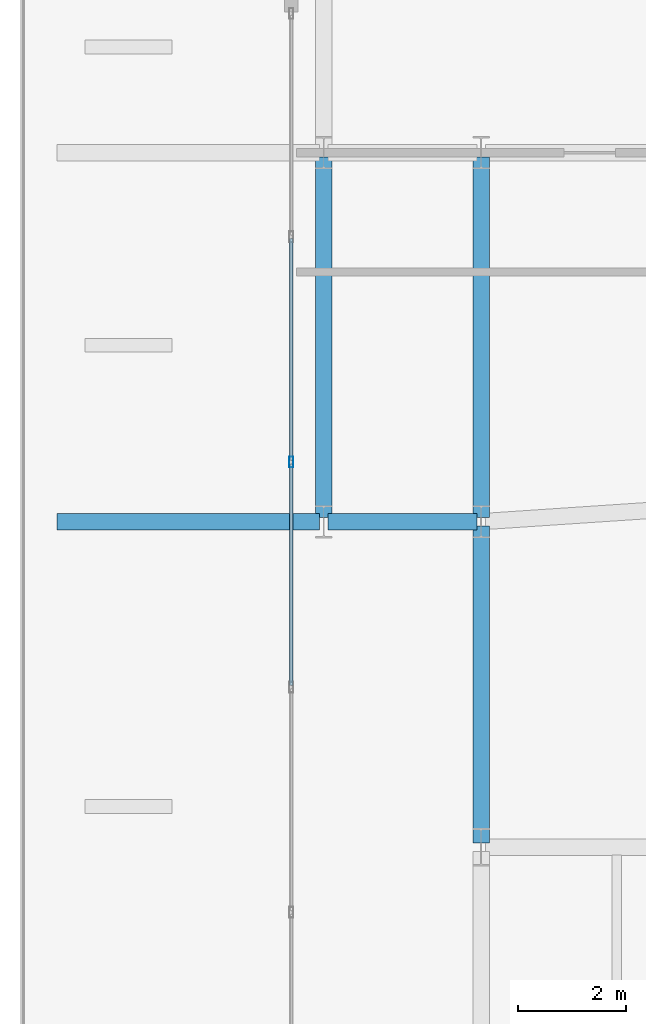
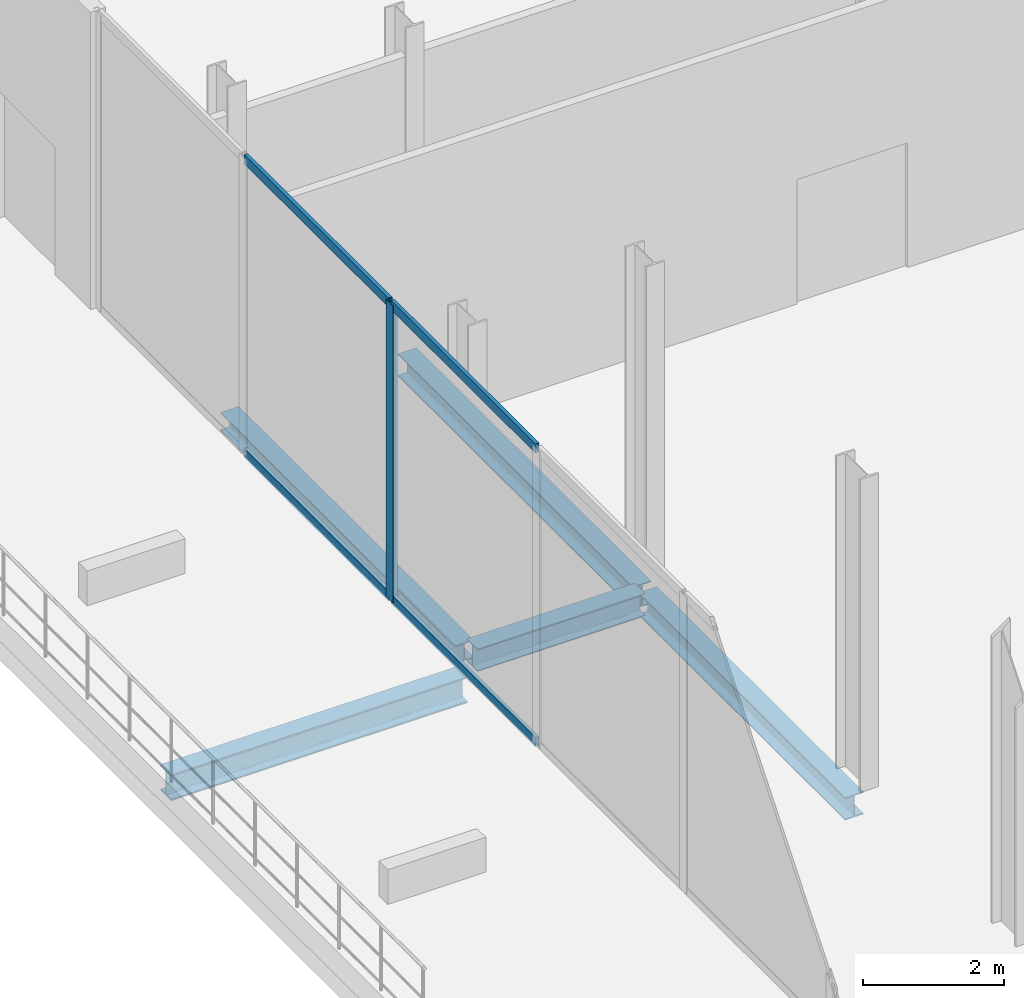
# One storey, part 5 of 18: 5 beams, 5 members, 1 element without a shape of its own.
"""IFC4 building model written with IfcOpenShell, lengths in metres."""

from ifc_helpers import new_model, si_unit, direction, frame, origin, origin_2d, place, context, subcontext, project, spatial, hollow_rectangle, i_section, extrude, material, layer, layer_set, material_profile, profile_set, type_object, element, aggregate, save


model = new_model("IFC4")

# Units and contexts
model_context = context("Model", 3, precision=1e-05, world=origin(), true_north=direction((0.0, 1.0)))
body_context = subcontext(model_context, "Body", "Model", "MODEL_VIEW")
ifc_project = project(units=[si_unit("LENGTHUNIT", "METRE"), si_unit("AREAUNIT", "SQUARE_METRE"), si_unit("VOLUMEUNIT", "CUBIC_METRE"), si_unit("PLANEANGLEUNIT", "RADIAN"), si_unit("MASSUNIT", "GRAM", prefix="KILO")], contexts=[model_context])

# Site, building, storey
site_placement = place(None, origin())
site = spatial("IfcSite", under=ifc_project, at=site_placement, CompositionType="ELEMENT")
building_placement = place(site_placement, origin())
building = spatial("IfcBuilding", under=site, at=building_placement, Name="Catumbela Crestline Tower", CompositionType="ELEMENT")
storey_placement = place(building_placement, frame((0.0, 0.0, 148.8)))
storey = spatial("IfcBuildingStorey", under=building, at=storey_placement, Name="L38", CompositionType="ELEMENT", Elevation=148.8)

# Beams
ifc_material_1 = material(Name="Structural steel S355J2", Category="steel")
ifc_material_profile_1 = material_profile(ifc_material_1, i_section(OverallWidth=0.3, OverallDepth=0.39, WebThickness=0.011, FlangeThickness=0.019, FilletRadius=0.027, at=origin_2d()), Name="HEA 400")
ifc_profile_set_1 = profile_set([ifc_material_profile_1], Name="Structural steel S355J2")
beam_type_1 = type_object("IfcBeamType", Name="BG-HEA400", PredefinedType="BEAM", material=ifc_profile_set_1)
beam_1_placement = place(storey_placement, frame((5.68, 24.0, -0.545), z_axis=(1.0, 0.0, 0.0), x_axis=(0.0, 1.0, 0.0)))
element("IfcBeam", 1, at=beam_1_placement, inside=storey, type_object=beam_type_1, Name="L38 Beam BM-L38-S01", PredefinedType="BEAM", context=body_context, shape_type="SweptSolid", body=[
    extrude(i_section(OverallWidth=0.3, OverallDepth=0.39, WebThickness=0.011, FlangeThickness=0.019, FilletRadius=0.027, at=origin_2d()), origin(), (0.0, 0.0, 1.0), 2.74),
])
beam_2_placement = place(storey_placement, frame((8.5, 24.08, -0.545), z_axis=(0.0, 1.0, 0.0), x_axis=(-1.0, 0.0, 0.0)))
element("IfcBeam", 2, at=beam_2_placement, inside=storey, type_object=beam_type_1, Name="L38 Beam BM-L38-SN16", PredefinedType="BEAM", context=body_context, shape_type="SweptSolid", body=[
    extrude(i_section(OverallWidth=0.3, OverallDepth=0.39, WebThickness=0.011, FlangeThickness=0.019, FilletRadius=0.027, at=origin_2d()), origin(), (0.0, 0.0, 1.0), 6.64),
])
beam_3_placement = place(storey_placement, frame((8.5, 18.08, -0.545), z_axis=(0.0, 1.0, 0.0), x_axis=(-1.0, 0.0, 0.0)))
element("IfcBeam", 3, at=beam_3_placement, inside=storey, type_object=beam_type_1, Name="L38 Beam BM-L38-WNS39", PredefinedType="BEAM", context=body_context, shape_type="SweptSolid", body=[
    extrude(i_section(OverallWidth=0.3, OverallDepth=0.39, WebThickness=0.011, FlangeThickness=0.019, FilletRadius=0.027, at=origin_2d()), origin(), (0.0, 0.0, 1.0), 5.84),
])
ifc_material_profile_2 = material_profile(ifc_material_1, i_section(OverallWidth=0.3, OverallDepth=0.45, WebThickness=0.014, FlangeThickness=0.026, FilletRadius=0.027, at=origin_2d()), Name="HEB 450")
ifc_profile_set_2 = profile_set([ifc_material_profile_2], Name="Structural steel S355J2")
beam_type_2 = type_object("IfcBeamType", Name="BG-HEB450", PredefinedType="BEAM", material=ifc_profile_set_2)
beam_4_placement = place(storey_placement, frame((0.68, 24.0, -0.995), z_axis=(1.0, 0.0, 0.0), x_axis=(0.0, 1.0, 0.0)))
element("IfcBeam", 4, at=beam_4_placement, inside=storey, type_object=beam_type_2, Name="L38 Sky Garden Terrace Tie Beam 1", PredefinedType="BEAM", context=body_context, shape_type="SweptSolid", body=[
    extrude(i_section(OverallWidth=0.3, OverallDepth=0.45, WebThickness=0.014, FlangeThickness=0.026, FilletRadius=0.027, at=origin_2d()), origin(), (0.0, 0.0, 1.0), 4.84),
])

# Curtain wall, member
ifc_material_2 = material(Name="Aluminium alloy AW-6060-T66", Category="aluminium")
ifc_layer = layer(ifc_material_2, 0.18, Name="Aluminium alloy AW-6060-T66")
ifc_layer_set = layer_set([ifc_layer], Name="Aluminium alloy AW-6060-T66")
curtain_wall_type = type_object("IfcCurtainWallType", Name="CWU-SKY", PredefinedType="USERDEFINED", material=ifc_layer_set)
curtain_wall_placement = place(storey_placement, origin())
curtain_wall = element("IfcCurtainWall", 5, at=curtain_wall_placement, inside=storey, type_object=curtain_wall_type, Name="L38 Unitised Curtain Wall CW-L38-E9S2", ObjectType="UNITISED", PredefinedType="USERDEFINED")
ifc_material_profile_3 = material_profile(ifc_material_2, hollow_rectangle(XDim=0.075, YDim=0.2, WallThickness=0.005, at=origin_2d()), Name="ALU 200x75x5")
ifc_profile_set_3 = profile_set([ifc_material_profile_3], Name="Aluminium alloy AW-6060-T66")
member_type_1 = type_object("IfcMemberType", Name="MUL-200X75", PredefinedType="MULLION", material=ifc_profile_set_3)
member_1_placement = place(storey_placement, frame((5.0, 25.1, 0.0), z_axis=(0.0, 0.0, 1.0), x_axis=(1.0, 0.0, 0.0)))
member_1 = element("IfcMember", 6, at=member_1_placement, type_object=member_type_1, Name="CWU-SKY mullion 3", PredefinedType="MULLION", context=body_context, shape_type="SweptSolid", body=[
    extrude(hollow_rectangle(XDim=0.075, YDim=0.2, WallThickness=0.005, at=origin_2d()), origin(), (0.0, 0.0, 1.0), 5.13),
])

# Beam
ifc_material_profile_4 = material_profile(ifc_material_1, i_section(OverallWidth=0.3, OverallDepth=0.31, WebThickness=0.009, FlangeThickness=0.0155, FilletRadius=0.027, at=origin_2d()), Name="HEA 320")
ifc_profile_set_4 = profile_set([ifc_material_profile_4], Name="Structural steel S355J2")
beam_type_3 = type_object("IfcBeamType", Name="BS-HEA320", PredefinedType="SPANDREL", material=ifc_profile_set_4)
beam_5_placement = place(storey_placement, frame((5.6, 24.08, -0.505), z_axis=(0.0, 1.0, 0.0), x_axis=(-1.0, 0.0, 0.0)))
element("IfcBeam", 7, at=beam_5_placement, inside=storey, type_object=beam_type_3, Name="L38 Spandrel SP-L38-SN14", PredefinedType="SPANDREL", context=body_context, shape_type="SweptSolid", body=[
    extrude(i_section(OverallWidth=0.3, OverallDepth=0.31, WebThickness=0.009, FlangeThickness=0.0155, FilletRadius=0.027, at=origin_2d()), origin(), (0.0, 0.0, 1.0), 6.64),
])

# Member
ifc_material_profile_5 = material_profile(ifc_material_2, hollow_rectangle(XDim=0.06, YDim=0.16, WallThickness=0.004, at=origin_2d()), Name="ALU 160x60x4")
ifc_profile_set_5 = profile_set([ifc_material_profile_5], Name="Aluminium alloy AW-6060-T66")
member_type_2 = type_object("IfcMemberType", Name="TRN-160X60", PredefinedType="USERDEFINED", material=ifc_profile_set_5)
member_2_placement = place(storey_placement, frame((5.0, 29.2175, 0.03), z_axis=(0.0, -1.0, 0.0), x_axis=(1.0, 0.0, 0.0)))
member_2 = element("IfcMember", 8, at=member_2_placement, type_object=member_type_2, Name="CWU-SKY transom 2.1", ObjectType="TRANSOM", PredefinedType="USERDEFINED", context=body_context, shape_type="SweptSolid", body=[
    extrude(hollow_rectangle(XDim=0.06, YDim=0.16, WallThickness=0.004, at=origin_2d()), origin(), (0.0, 0.0, 1.0), 4.085),
])

member_3_placement = place(storey_placement, frame((5.0, 29.2175, 5.1), z_axis=(0.0, -1.0, 0.0), x_axis=(1.0, 0.0, 0.0)))
member_3 = element("IfcMember", 9, at=member_3_placement, type_object=member_type_2, Name="CWU-SKY transom 2.2", ObjectType="TRANSOM", PredefinedType="USERDEFINED", context=body_context, shape_type="SweptSolid", body=[
    extrude(hollow_rectangle(XDim=0.06, YDim=0.16, WallThickness=0.004, at=origin_2d()), origin(), (0.0, 0.0, 1.0), 4.085),
])

member_4_placement = place(storey_placement, frame((5.0, 25.0675, 0.03), z_axis=(0.0, -1.0, 0.0), x_axis=(1.0, 0.0, 0.0)))
member_4 = element("IfcMember", 10, at=member_4_placement, type_object=member_type_2, Name="CWU-SKY transom 3.1", ObjectType="TRANSOM", PredefinedType="USERDEFINED", context=body_context, shape_type="SweptSolid", body=[
    extrude(hollow_rectangle(XDim=0.06, YDim=0.16, WallThickness=0.004, at=origin_2d()), origin(), (0.0, 0.0, 1.0), 4.085),
])

member_5_placement = place(storey_placement, frame((5.0, 25.0675, 5.1), z_axis=(0.0, -1.0, 0.0), x_axis=(1.0, 0.0, 0.0)))
member_5 = element("IfcMember", 11, at=member_5_placement, type_object=member_type_2, Name="CWU-SKY transom 3.2", ObjectType="TRANSOM", PredefinedType="USERDEFINED", context=body_context, shape_type="SweptSolid", body=[
    extrude(hollow_rectangle(XDim=0.06, YDim=0.16, WallThickness=0.004, at=origin_2d()), origin(), (0.0, 0.0, 1.0), 4.085),
])

aggregate(curtain_wall, [member_1, member_2, member_3, member_4, member_5])

save(model, "model.ifc")
